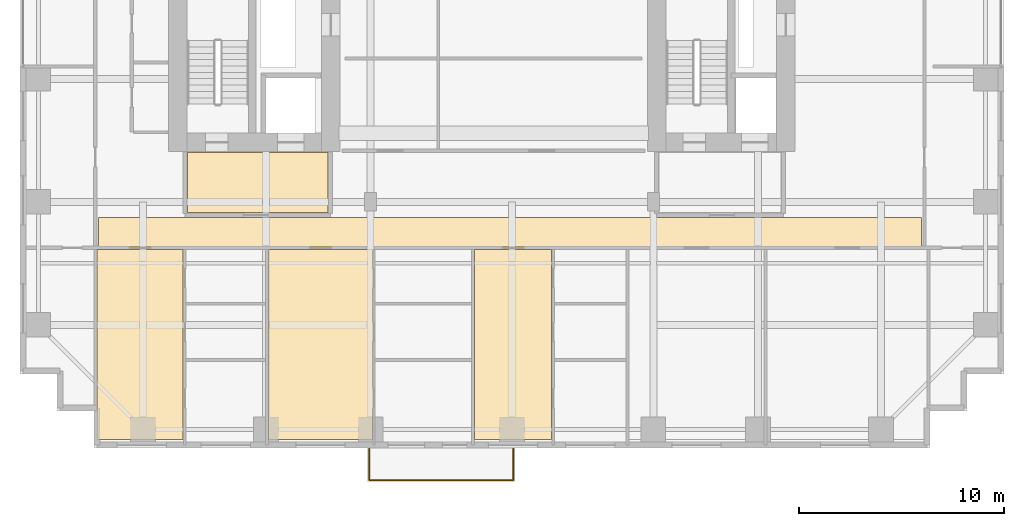
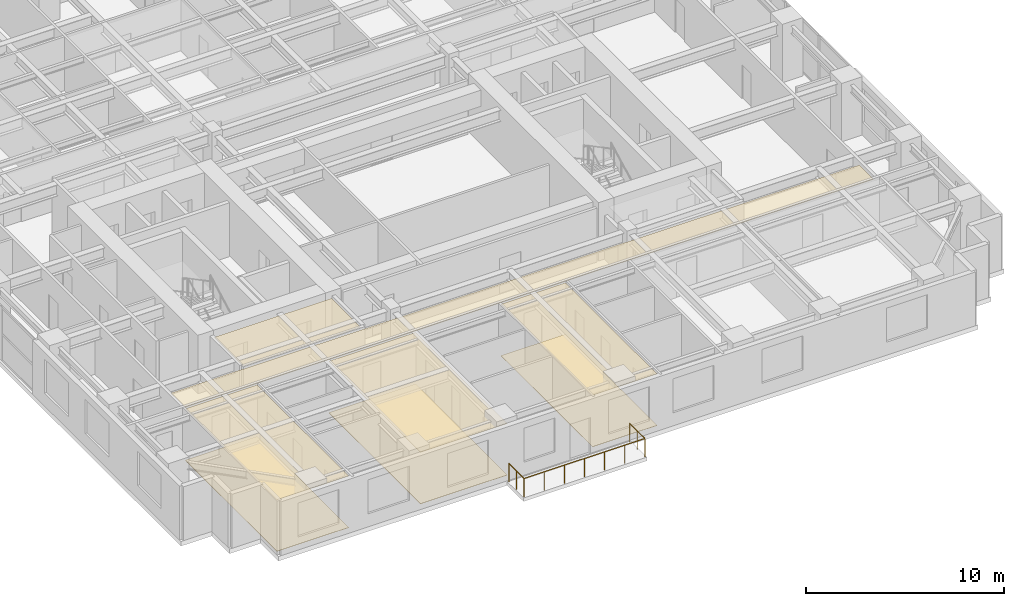
# One storey, part 16 of 19: 8 coverings, 1 railing.
"""IFC4 building model written with IfcOpenShell, lengths in metres."""

from ifc_helpers import new_model, si_unit, direction, frame, origin, origin_2d, place, context, subcontext, project, spatial, polyline, circle, outline, extrude, material, layer, layer_set, type_object, element, save


model = new_model("IFC4")

# Units and contexts
model_context = context("Model", 3, precision=1e-05, world=origin(), true_north=direction((0.0, 1.0)))
body_context = subcontext(model_context, "Body", "Model", "MODEL_VIEW")
ifc_project = project(units=[si_unit("LENGTHUNIT", "METRE"), si_unit("AREAUNIT", "SQUARE_METRE"), si_unit("VOLUMEUNIT", "CUBIC_METRE"), si_unit("PLANEANGLEUNIT", "RADIAN"), si_unit("MASSUNIT", "GRAM", prefix="KILO")], contexts=[model_context])

# Site, building, storey
site_placement = place(None, origin())
site = spatial("IfcSite", under=ifc_project, at=site_placement, CompositionType="ELEMENT")
building_placement = place(site_placement, origin())
building = spatial("IfcBuilding", under=site, at=building_placement, Name="Khoralis Quay Care Tower", CompositionType="ELEMENT")
storey_placement = place(building_placement, frame((0.0, 0.0, 69.300048828125)))
storey = spatial("IfcBuildingStorey", under=building, at=storey_placement, Name="L18", CompositionType="ELEMENT", Elevation=69.300048828125)

# Coverings
ifc_material_1 = material(Name="Mineral-fibre acoustic ceiling tile")
ifc_layer_1 = layer(ifc_material_1, 0.01806640625)
ifc_layer_set_1 = layer_set([ifc_layer_1], Name="Mineral-fibre acoustic ceiling tile")
covering_type_1 = type_object("IfcCoveringType", Name="COV-CEIL-AC18", PredefinedType="CEILING", material=ifc_layer_set_1)
covering_1_placement = place(storey_placement, frame((0.0, 0.0, 3.171875)))
element("IfcCovering", 1, at=covering_1_placement, inside=storey, type_object=covering_type_1, Name="Suspended Acoustic Ceiling SP-L18-FFLOB-W", PredefinedType="CEILING", context=body_context, shape_type="SweptSolid", body=[
    extrude(outline(polyline([(8.179931640625, 11.47998046875), (15.02001953125, 11.47998046875), (15.02001953125, 14.39990234375), (8.179931640625, 14.39990234375), (8.179931640625, 11.47998046875)])), origin(), (0.0, 0.0, 1.0), 0.01806640625),
])
covering_2_placement = place(storey_placement, frame((0.0, 0.0, 3.171875)))
element("IfcCovering", 2, at=covering_2_placement, inside=storey, type_object=covering_type_1, Name="Suspended Acoustic Ceiling SP-L18-CORR-S", PredefinedType="CEILING", context=body_context, shape_type="SweptSolid", body=[
    extrude(outline(polyline([(3.820068359375, 9.800048828125), (43.97998046875, 9.800048828125), (43.97998046875, 11.239990234375), (3.820068359375, 11.239990234375), (3.820068359375, 9.800048828125)])), origin(), (0.0, 0.0, 1.0), 0.01806640625),
])
covering_3_placement = place(storey_placement, frame((0.0, 0.0, 3.171875)))
element("IfcCovering", 3, at=covering_3_placement, inside=storey, type_object=covering_type_1, Name="Suspended Acoustic Ceiling SP-L18-SB-LIV0", PredefinedType="CEILING", context=body_context, shape_type="SweptSolid", body=[
    extrude(outline(polyline([(3.760009765625, 0.419921875), (7.951904296875, 0.419921875), (7.951904296875, 9.679931640625), (3.760009765625, 9.679931640625), (3.760009765625, 0.419921875)])), origin(), (0.0, 0.0, 1.0), 0.01806640625),
])
covering_4_placement = place(storey_placement, frame((0.0, 0.0, 3.171875)))
element("IfcCovering", 4, at=covering_4_placement, inside=storey, type_object=covering_type_1, Name="Suspended Acoustic Ceiling SP-L18-SB-LIV1", PredefinedType="CEILING", context=body_context, shape_type="SweptSolid", body=[
    extrude(outline(polyline([(12.1298828125, 0.419921875), (17.19091796875, 0.419921875), (17.19091796875, 9.679931640625), (12.1298828125, 9.679931640625), (12.1298828125, 0.419921875)])), origin(), (0.0, 0.0, 1.0), 0.01806640625),
])
covering_5_placement = place(storey_placement, frame((0.0, 0.0, 3.171875)))
element("IfcCovering", 5, at=covering_5_placement, inside=storey, type_object=covering_type_1, Name="Suspended Acoustic Ceiling SP-L18-SB-LIV2", PredefinedType="CEILING", context=body_context, shape_type="SweptSolid", body=[
    extrude(outline(polyline([(22.169921875, 0.419921875), (25.930908203125, 0.419921875), (25.930908203125, 9.679931640625), (22.169921875, 9.679931640625), (22.169921875, 0.419921875)])), origin(), (0.0, 0.0, 1.0), 0.01806640625),
])
ifc_material_2 = material(Name="Porcelain and non-slip vinyl flooring")
ifc_layer_2 = layer(ifc_material_2, 0.02001953125)
ifc_layer_set_2 = layer_set([ifc_layer_2], Name="Porcelain and non-slip vinyl flooring")
covering_type_2 = type_object("IfcCoveringType", Name="COV-FLOOR-20", PredefinedType="FLOORING", material=ifc_layer_set_2)
covering_6_placement = place(storey_placement, origin())
element("IfcCovering", 6, at=covering_6_placement, inside=storey, type_object=covering_type_2, Name="Resilient Healthcare Flooring SP-L18-SB-LIV0", PredefinedType="FLOORING", context=body_context, shape_type="SweptSolid", body=[
    extrude(outline(polyline([(3.760009765625, 0.419921875), (7.951904296875, 0.419921875), (7.951904296875, 9.679931640625), (3.760009765625, 9.679931640625), (3.760009765625, 0.419921875)])), origin(), (0.0, 0.0, 1.0), 0.02001953125),
])
covering_7_placement = place(storey_placement, origin())
element("IfcCovering", 7, at=covering_7_placement, inside=storey, type_object=covering_type_2, Name="Resilient Healthcare Flooring SP-L18-SB-LIV1", PredefinedType="FLOORING", context=body_context, shape_type="SweptSolid", body=[
    extrude(outline(polyline([(12.1298828125, 0.419921875), (17.19091796875, 0.419921875), (17.19091796875, 9.679931640625), (12.1298828125, 9.679931640625), (12.1298828125, 0.419921875)])), origin(), (0.0, 0.0, 1.0), 0.02001953125),
])
covering_8_placement = place(storey_placement, origin())
element("IfcCovering", 8, at=covering_8_placement, inside=storey, type_object=covering_type_2, Name="Resilient Healthcare Flooring SP-L18-SB-LIV2", PredefinedType="FLOORING", context=body_context, shape_type="SweptSolid", body=[
    extrude(outline(polyline([(22.169921875, 0.419921875), (25.930908203125, 0.419921875), (25.930908203125, 9.679931640625), (22.169921875, 9.679931640625), (22.169921875, 0.419921875)])), origin(), (0.0, 0.0, 1.0), 0.02001953125),
])

# Railing
ifc_material_3 = material(Name="Pale anodised aluminium", Category="aluminium")
railing_type = type_object("IfcRailingType", Name="RL-BALUST-1150", PredefinedType="BALUSTRADE", material=ifc_material_3)
railing_placement = place(storey_placement, frame((17.030029296875, -0.0400390625, -0.06005859375)))
element("IfcRailing", 9, at=railing_placement, inside=storey, type_object=railing_type, Name="L18 Senior Loggia Balcony Guard", PredefinedType="BALUSTRADE", context=body_context, shape_type="SweptSolid", body=[
    extrude(circle(Radius=0.02392578125, at=origin_2d()), frame((0.0, 0.0, 1.1259765625), z_axis=(0.0, -1.0, 0.0), x_axis=(1.0, 0.0, 0.0)), (0.0, 0.0, 1.0), 1.530029296875),
    extrude(circle(Radius=0.02392578125, at=origin_2d()), frame((0.0, -1.530029296875, 1.1259765625), z_axis=(1.0, 0.0, 0.0), x_axis=(0.0, 1.0, 0.0)), (0.0, 0.0, 1.0), 7.0400390625),
    extrude(circle(Radius=0.02392578125, at=origin_2d()), frame((7.0400390625, -1.530029296875, 1.1259765625), z_axis=(0.0, 1.0, 0.0), x_axis=(-1.0, 0.0, 0.0)), (0.0, 0.0, 1.0), 1.530029296875),
    extrude(circle(Radius=0.02099609375, at=origin_2d()), origin(), (0.0, 0.0, 1.0), 1.101806640625),
    extrude(circle(Radius=0.02099609375, at=origin_2d()), frame((0.0, -0.76513671875, 0.0)), (0.0, 0.0, 1.0), 1.101806640625),
    extrude(circle(Radius=0.02099609375, at=origin_2d()), frame((0.0, -1.530029296875, 0.0)), (0.0, 0.0, 1.0), 1.101806640625),
    extrude(circle(Radius=0.02099609375, at=origin_2d()), frame((1.17333984375, -1.530029296875, 0.0)), (0.0, 0.0, 1.0), 1.101806640625),
    extrude(circle(Radius=0.02099609375, at=origin_2d()), frame((2.3466796875, -1.530029296875, 0.0)), (0.0, 0.0, 1.0), 1.101806640625),
    extrude(circle(Radius=0.02099609375, at=origin_2d()), frame((3.52001953125, -1.530029296875, 0.0)), (0.0, 0.0, 1.0), 1.101806640625),
    extrude(circle(Radius=0.02099609375, at=origin_2d()), frame((4.693359375, -1.530029296875, 0.0)), (0.0, 0.0, 1.0), 1.101806640625),
    extrude(circle(Radius=0.02099609375, at=origin_2d()), frame((5.86669921875, -1.530029296875, 0.0)), (0.0, 0.0, 1.0), 1.101806640625),
    extrude(circle(Radius=0.02099609375, at=origin_2d()), frame((7.0400390625, -1.530029296875, 0.0)), (0.0, 0.0, 1.0), 1.101806640625),
    extrude(circle(Radius=0.02099609375, at=origin_2d()), frame((7.0400390625, -0.76513671875, 0.0)), (0.0, 0.0, 1.0), 1.101806640625),
    extrude(circle(Radius=0.02099609375, at=origin_2d()), frame((7.0400390625, 0.0, 0.0)), (0.0, 0.0, 1.0), 1.101806640625),
])

save(model, "model.ifc")
